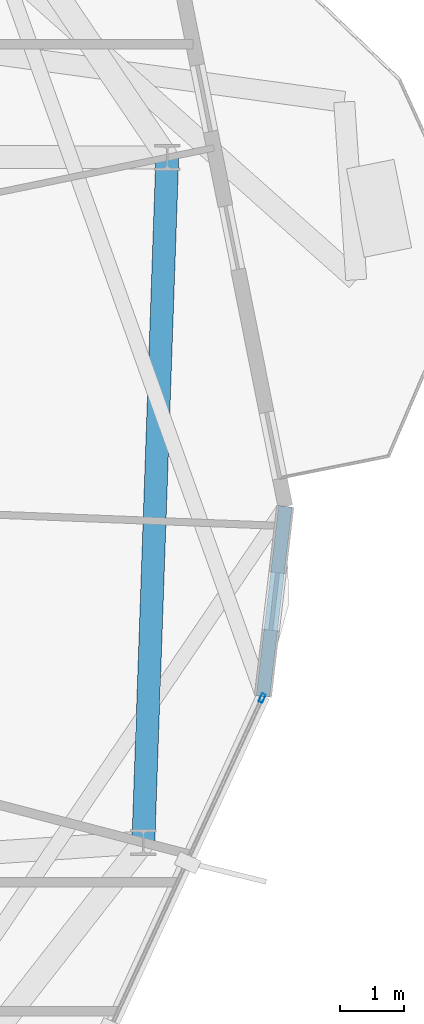
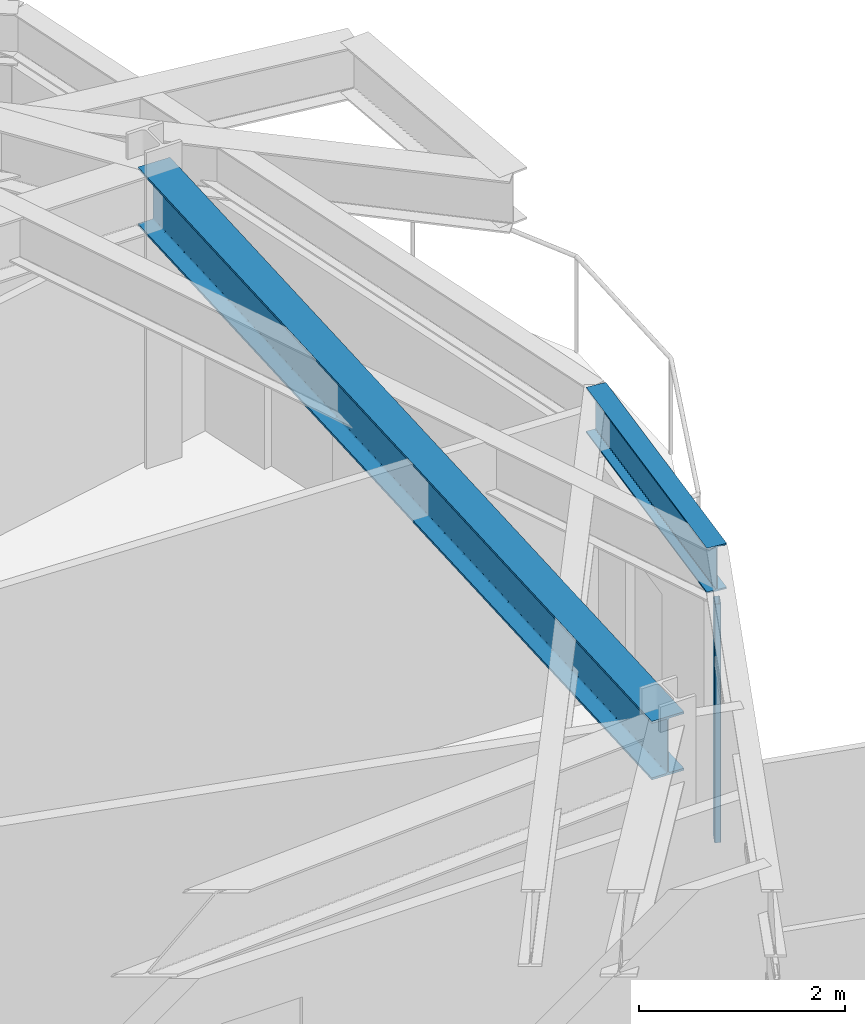
# One storey, part 11 of 25: 2 beams, 1 member, 1 element without a shape of its own.
"""IFC4 building model written with IfcOpenShell, lengths in metres."""

from ifc_helpers import new_model, si_unit, direction, frame, origin, origin_2d, place, context, subcontext, project, spatial, hollow_rectangle, i_section, extrude, material, layer, layer_set, material_profile, profile_set, type_object, element, aggregate, save


model = new_model("IFC4")

# Units and contexts
model_context = context("Model", 3, precision=1e-05, world=origin(), true_north=direction((0.0, 1.0)))
body_context = subcontext(model_context, "Body", "Model", "MODEL_VIEW")
ifc_project = project(units=[si_unit("LENGTHUNIT", "METRE"), si_unit("AREAUNIT", "SQUARE_METRE"), si_unit("VOLUMEUNIT", "CUBIC_METRE"), si_unit("PLANEANGLEUNIT", "RADIAN"), si_unit("MASSUNIT", "GRAM", prefix="KILO")], contexts=[model_context])

# Site, building, storey
site_placement = place(None, origin())
site = spatial("IfcSite", under=ifc_project, at=site_placement, CompositionType="ELEMENT")
building_placement = place(site_placement, origin())
building = spatial("IfcBuilding", under=site, at=building_placement, Name="Soratama Intermodal Tower", CompositionType="ELEMENT")
storey_placement = place(building_placement, frame((0.0, 0.0, 272.5)))
storey = spatial("IfcBuildingStorey", under=building, at=storey_placement, Name="L69", CompositionType="ELEMENT", Elevation=272.5)

# Beams
ifc_material_1 = material(Name="Structural steel ASTM A992 Grade 50", Category="steel")
ifc_material_profile_1 = material_profile(ifc_material_1, i_section(OverallWidth=0.35498046875, OverallDepth=0.695068359375, WebThickness=0.015380859375, FlangeThickness=0.02490234375, FilletRadius=0.01611328125, at=origin_2d()), Name="W27X146")
ifc_profile_set_1 = profile_set([ifc_material_profile_1], Name="Structural steel ASTM A992 Grade 50")
beam_type_1 = type_object("IfcBeamType", Name="BM-RING-W27X146", PredefinedType="BEAM", material=ifc_profile_set_1)
beam_1_placement = place(storey_placement, frame((61.1630859375, 19.116943359375, 3.1025390625), z_axis=(0.034885453879, 0.999391317307, 0.0), x_axis=(-0.999391317307, 0.034885453879, 0.0)))
element("IfcBeam", 1, at=beam_1_placement, inside=storey, type_object=beam_type_1, Name="BM-L69-RING-10", PredefinedType="BEAM", context=body_context, shape_type="SweptSolid", body=[
    extrude(i_section(OverallWidth=0.35498046875, OverallDepth=0.695068359375, WebThickness=0.015380859375, FlangeThickness=0.02490234375, FilletRadius=0.01611328125, at=origin_2d()), origin(), (0.0, 0.0, 1.0), 10.630615234375),
])
ifc_material_2 = material(Name="Structural steel ASTM A992 Grade 50", Category="steel")
ifc_material_profile_2 = material_profile(ifc_material_2, i_section(OverallWidth=0.2099609375, OverallDepth=0.537109375, WebThickness=0.010986328125, FlangeThickness=0.017333984375, FilletRadius=0.012939453125, at=origin_2d()), Name="W21X68")
ifc_profile_set_2 = profile_set([ifc_material_profile_2], Name="Structural steel ASTM A992 Grade 50")
beam_type_2 = type_object("IfcBeamType", Name="BM-SPN-W21X68", PredefinedType="SPANDREL", material=ifc_profile_set_2)
beam_2_placement = place(storey_placement, frame((63.01904296875, 21.383056640625, 3.181396484375), z_axis=(0.116912851833, 0.993142177675, 0.0), x_axis=(-0.993142177675, 0.116912851833, 0.0)))
element("IfcBeam", 2, at=beam_2_placement, inside=storey, type_object=beam_type_2, Name="BS-L69-CRN08", PredefinedType="SPANDREL", context=body_context, shape_type="SweptSolid", body=[
    extrude(i_section(OverallWidth=0.2099609375, OverallDepth=0.537109375, WebThickness=0.010986328125, FlangeThickness=0.017333984375, FilletRadius=0.012939453125, at=origin_2d()), origin(), (0.0, 0.0, 1.0), 2.96728515625),
])

# Curtain wall, member
ifc_material_3 = material(Name="Double-glazed aluminium curtain wall", Category="aluminium")
ifc_layer = layer(ifc_material_3, 0.159912109375)
ifc_layer_set = layer_set([ifc_layer], Name="Double-glazed aluminium curtain wall")
curtain_wall_type = type_object("IfcCurtainWallType", Name="CW-SYS-5", PredefinedType="NOTDEFINED", material=ifc_layer_set)
curtain_wall_placement = place(storey_placement, origin())
curtain_wall = element("IfcCurtainWall", 3, at=curtain_wall_placement, inside=storey, type_object=curtain_wall_type, Name="L69 Faceted Curtain Wall F08", PredefinedType="NOTDEFINED")
ifc_material_4 = material(Name="Anodised aluminium AA 6063-T6", Category="aluminium")
ifc_material_profile_3 = material_profile(ifc_material_4, hollow_rectangle(XDim=0.06494140625, YDim=0.139892578125, WallThickness=0.0048828125, InnerFilletRadius=0.0048828125, OuterFilletRadius=0.010009765625, at=origin_2d()), Name="CWM140X65X5")
ifc_profile_set_3 = profile_set([ifc_material_profile_3], Name="Anodised aluminium AA 6063-T6")
member_type = type_object("IfcMemberType", Name="MT-CWM-5", PredefinedType="MULLION", material=ifc_profile_set_3)
member_placement = place(storey_placement, frame((63.006103515625, 21.356201171875, 0.0), z_axis=(0.0, 0.0, 1.0), x_axis=(-0.908361499734, 0.418185826877, 0.0)))
member = element("IfcMember", 4, at=member_placement, type_object=member_type, Name="CW-5 mullion 2", PredefinedType="MULLION", context=body_context, shape_type="SweptSolid", body=[
    extrude(hollow_rectangle(XDim=0.06494140625, YDim=0.139892578125, WallThickness=0.0048828125, InnerFilletRadius=0.0048828125, OuterFilletRadius=0.010009765625, at=origin_2d()), origin(), (0.0, 0.0, 1.0), 2.8291015625),
])
aggregate(curtain_wall, [member])

save(model, "model.ifc")
